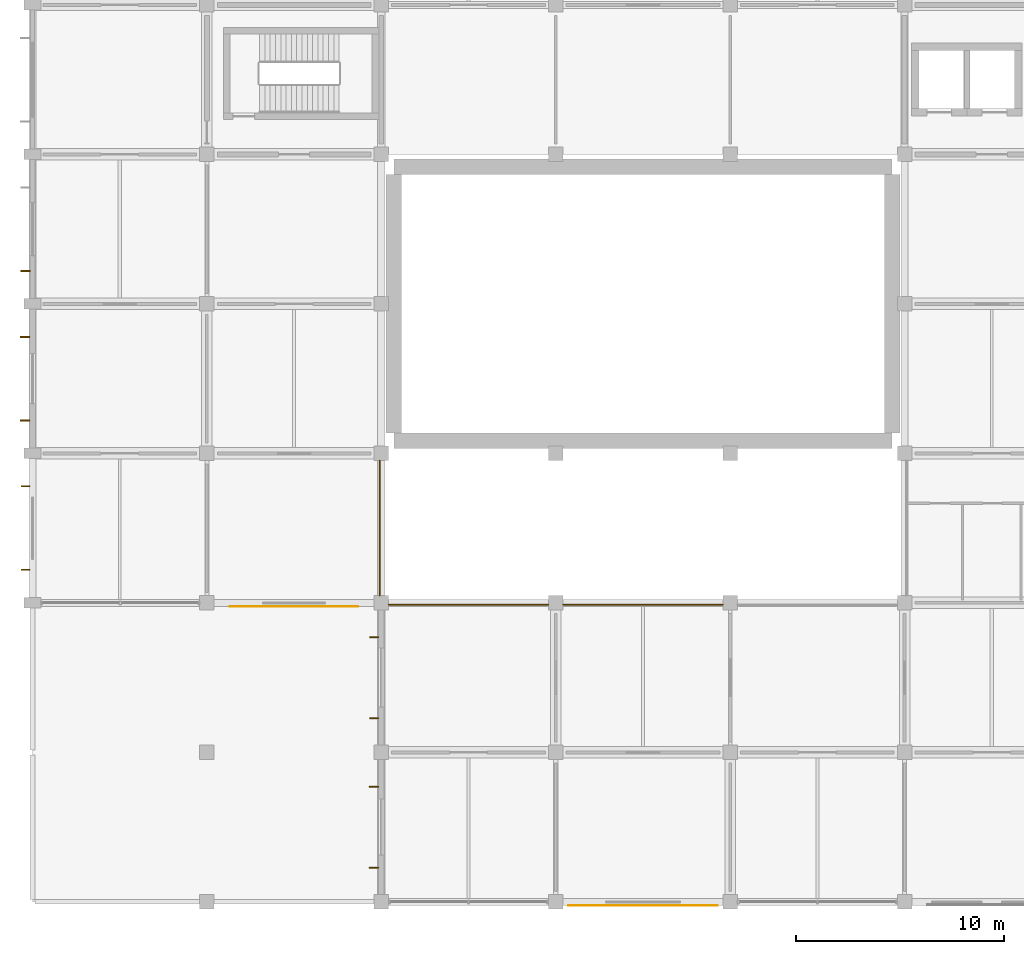
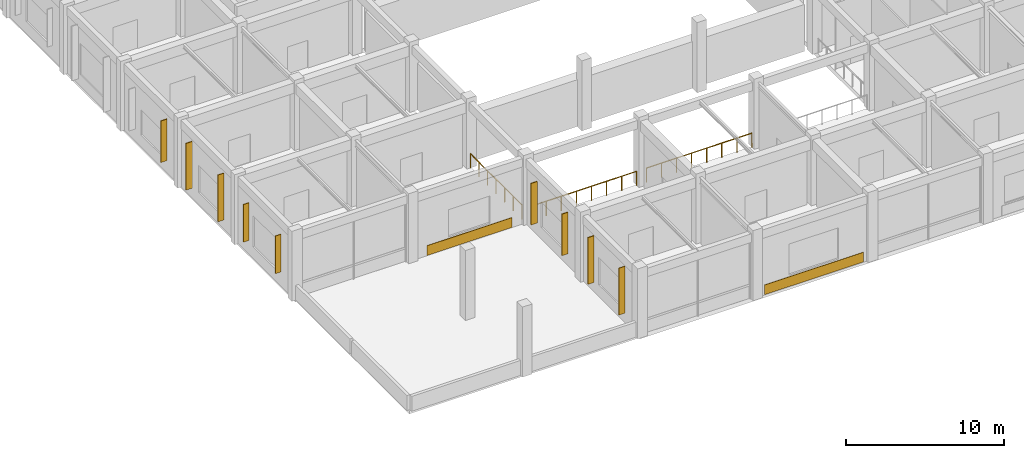
# One storey, part 32 of 41: 9 shading devices, 3 railings, 2 coverings.
"""IFC4 building model written with IfcOpenShell, lengths in metres."""

from ifc_helpers import new_model, si_unit, derived_unit, direction, frame, origin, origin_2d, place, context, subcontext, project, spatial, rectangle, circle, extrude, material, layer, layer_set, type_object, element, save


model = new_model("IFC4")

# Units and contexts
model_context = context("Model", 3, precision=1e-05, world=origin(), true_north=direction((0.0, 1.0)))
body_context = subcontext(model_context, "Body", "Model", "MODEL_VIEW")
ifc_project = project(units=[si_unit("LENGTHUNIT", "METRE"), si_unit("AREAUNIT", "SQUARE_METRE"), si_unit("VOLUMEUNIT", "CUBIC_METRE"), si_unit("PLANEANGLEUNIT", "RADIAN"), si_unit("MASSUNIT", "GRAM", prefix="KILO"), derived_unit("THERMALTRANSMITTANCEUNIT", [(si_unit("MASSUNIT", "GRAM", prefix="KILO"), 1), (si_unit("TIMEUNIT", "SECOND"), -3), (si_unit("THERMODYNAMICTEMPERATUREUNIT", "KELVIN"), -1)])], contexts=[model_context])

# Site, building, storey
site_placement = place(None, origin())
site = spatial("IfcSite", under=ifc_project, at=site_placement, CompositionType="ELEMENT")
building_placement = place(site_placement, origin())
building = spatial("IfcBuilding", under=site, at=building_placement, Name="Veldstrom Oceanarium and Marine Research Institute", CompositionType="ELEMENT")
storey_placement = place(building_placement, frame((0.0, 0.0, 6.0)))
storey = spatial("IfcBuildingStorey", under=building, at=storey_placement, Name="L01", CompositionType="ELEMENT", Elevation=6.0)

# Coverings
ifc_material_1 = material(Name="Anodised Aluminium Spandrel Rainscreen Cladding", Category="aluminium")
ifc_layer_1 = layer(ifc_material_1, 0.75)
ifc_layer_set_1 = layer_set([ifc_layer_1], Name="ARC-COV-CD1")
covering_type_1 = type_object("IfcCoveringType", Name="ARC-COV-CD1", PredefinedType="CLADDING", material=ifc_layer_set_1)
covering_1_placement = place(storey_placement, frame((29.39990234375, -0.16845703125, 0.044921875), z_axis=(0.0, 0.0, 1.0), x_axis=(1.0, 0.0, 0.0)))
element("IfcCovering", 1, at=covering_1_placement, inside=storey, type_object=covering_type_1, Name="Spandrel Rainscreen Cladding L01-034", PredefinedType="CLADDING", context=body_context, shape_type="SweptSolid", body=[
    extrude(rectangle(XDim=7.199951171875, YDim=0.034912109375, at=origin_2d()), origin(), (0.0, 0.0, 1.0), 0.75),
])
ifc_material_2 = material(Name="Terracotta Spandrel Rainscreen Cladding", Category="masonry")
ifc_layer_2 = layer(ifc_material_2, 0.75)
ifc_layer_set_2 = layer_set([ifc_layer_2], Name="ARC-COV-CD2")
covering_type_2 = type_object("IfcCoveringType", Name="ARC-COV-CD2", PredefinedType="CLADDING", material=ifc_layer_set_2)
covering_2_placement = place(storey_placement, frame((12.60009765625, 14.22900390625, 0.044921875), z_axis=(0.0, 0.0, 1.0), x_axis=(1.0, 0.0, 0.0)))
element("IfcCovering", 2, at=covering_2_placement, inside=storey, type_object=covering_type_2, Name="Spandrel Rainscreen Cladding L01-031", PredefinedType="CLADDING", context=body_context, shape_type="SweptSolid", body=[
    extrude(rectangle(XDim=6.199951171875, YDim=0.0400390625, at=origin_2d()), origin(), (0.0, 0.0, 1.0), 0.75),
])

# Railings
ifc_material_3 = material(Name="Duplex Stainless Steel Balustrade", Category="steel")
ifc_layer_3 = layer(ifc_material_3, 0.06005859375)
ifc_layer_set_3 = layer_set([ifc_layer_3], Name="ARC-RLG-GR1")
railing_type = type_object("IfcRailingType", Name="ARC-RLG-GR1", PredefinedType="GUARDRAIL", material=ifc_layer_set_3)
railing_1_placement = place(storey_placement, frame((16.719970703125, 14.75, 0.0)))
element("IfcRailing", 3, at=railing_1_placement, inside=storey, type_object=railing_type, Name="Atrium Overlook Guardrail GR-ATR-L01-01", PredefinedType="GUARDRAIL", context=body_context, shape_type="SweptSolid", body=[
    extrude(circle(Radius=0.02392578125, at=origin_2d()), frame((0.0, 0.0, 1.09619140625), z_axis=(0.0, 1.0, 0.0), x_axis=(-1.0, 0.0, 0.0)), (0.0, 0.0, 1.0), 6.5),
    extrude(circle(Radius=0.02099609375, at=origin_2d()), origin(), (0.0, 0.0, 1.0), 1.072021484375),
    extrude(circle(Radius=0.02099609375, at=origin_2d()), frame((0.0, 1.083251953125, 0.0)), (0.0, 0.0, 1.0), 1.072021484375),
    extrude(circle(Radius=0.02099609375, at=origin_2d()), frame((0.0, 2.166748046875, 0.0)), (0.0, 0.0, 1.0), 1.072021484375),
    extrude(circle(Radius=0.02099609375, at=origin_2d()), frame((0.0, 3.25, 0.0)), (0.0, 0.0, 1.0), 1.072021484375),
    extrude(circle(Radius=0.02099609375, at=origin_2d()), frame((0.0, 4.333251953125, 0.0)), (0.0, 0.0, 1.0), 1.072021484375),
    extrude(circle(Radius=0.02099609375, at=origin_2d()), frame((0.0, 5.416748046875, 0.0)), (0.0, 0.0, 1.0), 1.072021484375),
    extrude(circle(Radius=0.02099609375, at=origin_2d()), frame((0.0, 6.5, 0.0)), (0.0, 0.0, 1.0), 1.072021484375),
])
railing_2_placement = place(storey_placement, frame((17.14990234375, 14.320068359375, 0.0)))
element("IfcRailing", 4, at=railing_2_placement, inside=storey, type_object=railing_type, Name="Atrium Overlook Guardrail GR-ATR-L01-02", PredefinedType="GUARDRAIL", context=body_context, shape_type="SweptSolid", body=[
    extrude(circle(Radius=0.02392578125, at=origin_2d()), frame((0.0, 0.0, 1.09619140625), z_axis=(1.0, 0.0, 0.0), x_axis=(0.0, 1.0, 0.0)), (0.0, 0.0, 1.0), 7.7001953125),
    extrude(circle(Radius=0.02099609375, at=origin_2d()), origin(), (0.0, 0.0, 1.0), 1.072021484375),
    extrude(circle(Radius=0.02099609375, at=origin_2d()), frame((1.10009765625, 0.0, 0.0)), (0.0, 0.0, 1.0), 1.072021484375),
    extrude(circle(Radius=0.02099609375, at=origin_2d()), frame((2.199951171875, 0.0, 0.0)), (0.0, 0.0, 1.0), 1.072021484375),
    extrude(circle(Radius=0.02099609375, at=origin_2d()), frame((3.300048828125, 0.0, 0.0)), (0.0, 0.0, 1.0), 1.072021484375),
    extrude(circle(Radius=0.02099609375, at=origin_2d()), frame((4.400146484375, 0.0, 0.0)), (0.0, 0.0, 1.0), 1.072021484375),
    extrude(circle(Radius=0.02099609375, at=origin_2d()), frame((5.500244140625, 0.0, 0.0)), (0.0, 0.0, 1.0), 1.072021484375),
    extrude(circle(Radius=0.02099609375, at=origin_2d()), frame((6.60009765625, 0.0, 0.0)), (0.0, 0.0, 1.0), 1.072021484375),
    extrude(circle(Radius=0.02099609375, at=origin_2d()), frame((7.7001953125, 0.0, 0.0)), (0.0, 0.0, 1.0), 1.072021484375),
])
railing_3_placement = place(storey_placement, frame((25.550048828125, 14.320068359375, 0.0)))
element("IfcRailing", 5, at=railing_3_placement, inside=storey, type_object=railing_type, Name="Atrium Overlook Guardrail GR-ATR-L01-03", PredefinedType="GUARDRAIL", context=body_context, shape_type="SweptSolid", body=[
    extrude(circle(Radius=0.02392578125, at=origin_2d()), frame((0.0, 0.0, 1.09619140625), z_axis=(1.0, 0.0, 0.0), x_axis=(0.0, 1.0, 0.0)), (0.0, 0.0, 1.0), 7.699951171875),
    extrude(circle(Radius=0.02099609375, at=origin_2d()), origin(), (0.0, 0.0, 1.0), 1.072021484375),
    extrude(circle(Radius=0.02099609375, at=origin_2d()), frame((1.10009765625, 0.0, 0.0)), (0.0, 0.0, 1.0), 1.072021484375),
    extrude(circle(Radius=0.02099609375, at=origin_2d()), frame((2.199951171875, 0.0, 0.0)), (0.0, 0.0, 1.0), 1.072021484375),
    extrude(circle(Radius=0.02099609375, at=origin_2d()), frame((3.300048828125, 0.0, 0.0)), (0.0, 0.0, 1.0), 1.072021484375),
    extrude(circle(Radius=0.02099609375, at=origin_2d()), frame((4.39990234375, 0.0, 0.0)), (0.0, 0.0, 1.0), 1.072021484375),
    extrude(circle(Radius=0.02099609375, at=origin_2d()), frame((5.5, 0.0, 0.0)), (0.0, 0.0, 1.0), 1.072021484375),
    extrude(circle(Radius=0.02099609375, at=origin_2d()), frame((6.599853515625, 0.0, 0.0)), (0.0, 0.0, 1.0), 1.072021484375),
    extrude(circle(Radius=0.02099609375, at=origin_2d()), frame((7.699951171875, 0.0, 0.0)), (0.0, 0.0, 1.0), 1.072021484375),
])

# Shading devices
ifc_material_4 = material(Name="Precast Terracotta Brise-Soleil Louvre", Category="masonry")
ifc_layer_4 = layer(ifc_material_4, 3.60009765625)
ifc_layer_set_4 = layer_set([ifc_layer_4], Name="ARC-SHD-BS01")
shading_device_type_1 = type_object("IfcShadingDeviceType", Name="ARC-SHD-BS01", PredefinedType="JALOUSIE", material=ifc_layer_set_4)
for number, where, z_axis, x_axis, name in (
    (6, (-0.35498046875, 23.18994140625, 0.737548828125), (0.0, 0.0, 1.0), (1.0, 0.0, 0.0), "Terracotta Brise-Soleil Louvre L01-024"),
    (7, (-0.35498046875, 27.2099609375, 0.737548828125), (0.0, 0.0, 1.0), (1.0, 0.0, 0.0), "Terracotta Brise-Soleil Louvre L01-024"),
    (8, (16.445068359375, 1.64990234375, 0.737548828125), (0.0, 0.0, 1.0), (1.0, 0.0, 0.0), "Terracotta Brise-Soleil Louvre L01-032"),
    (9, (16.445068359375, 5.550048828125, 0.737548828125), (0.0, 0.0, 1.0), (1.0, 0.0, 0.0), "Terracotta Brise-Soleil Louvre L01-032"),
):
    element("IfcShadingDevice", number, at=place(storey_placement, frame(where, z_axis=z_axis, x_axis=x_axis)), inside=storey, type_object=shading_device_type_1, Name=name, PredefinedType="JALOUSIE", context=body_context, shape_type="SweptSolid", body=[
        extrude(rectangle(XDim=0.449951171875, YDim=0.06005859375, at=origin_2d()), origin(), (0.0, 0.0, 1.0), 3.60009765625),
    ])
ifc_material_5 = material(Name="Precast Terracotta Brise-Soleil Louvre", Category="masonry")
ifc_layer_5 = layer(ifc_material_5, 3.199951171875)
ifc_layer_set_5 = layer_set([ifc_layer_5], Name="ARC-SHD-BS02")
shading_device_type_2 = type_object("IfcShadingDeviceType", Name="ARC-SHD-BS02", PredefinedType="JALOUSIE", material=ifc_layer_set_5)
for number, where, z_axis, x_axis, name in (
    (10, (-0.344970703125, 30.389892578125, 0.9375), (0.0, 0.0, 1.0), (1.0, 0.0, 0.0), "Terracotta Brise-Soleil Louvre L01-025"),
    (11, (16.455078125, 8.85009765625, 0.9375), (0.0, 0.0, 1.0), (1.0, 0.0, 0.0), "Terracotta Brise-Soleil Louvre L01-033"),
    (12, (16.455078125, 12.75, 0.9375), (0.0, 0.0, 1.0), (1.0, 0.0, 0.0), "Terracotta Brise-Soleil Louvre L01-033"),
):
    element("IfcShadingDevice", number, at=place(storey_placement, frame(where, z_axis=z_axis, x_axis=x_axis)), inside=storey, type_object=shading_device_type_2, Name=name, PredefinedType="JALOUSIE", context=body_context, shape_type="SweptSolid", body=[
        extrude(rectangle(XDim=0.449951171875, YDim=0.06005859375, at=origin_2d()), origin(), (0.0, 0.0, 1.0), 3.199951171875),
    ])
ifc_material_6 = material(Name="Precast Terracotta Brise-Soleil Louvre", Category="masonry")
ifc_layer_6 = layer(ifc_material_6, 2.89990234375)
ifc_layer_set_6 = layer_set([ifc_layer_6], Name="ARC-SHD-BS04")
shading_device_type_3 = type_object("IfcShadingDeviceType", Name="ARC-SHD-BS04", PredefinedType="JALOUSIE", material=ifc_layer_set_6)
for number, where, z_axis, x_axis, name in (
    (13, (-0.340087890625, 15.989990234375, 1.087646484375), (0.0, 0.0, 1.0), (1.0, 0.0, 0.0), "Terracotta Brise-Soleil Louvre L01-023"),
    (14, (-0.340087890625, 20.010009765625, 1.087646484375), (0.0, 0.0, 1.0), (1.0, 0.0, 0.0), "Terracotta Brise-Soleil Louvre L01-023"),
):
    element("IfcShadingDevice", number, at=place(storey_placement, frame(where, z_axis=z_axis, x_axis=x_axis)), inside=storey, type_object=shading_device_type_3, Name=name, PredefinedType="JALOUSIE", context=body_context, shape_type="SweptSolid", body=[
        extrude(rectangle(XDim=0.39990234375, YDim=0.054931640625, at=origin_2d()), origin(), (0.0, 0.0, 1.0), 2.89990234375),
    ])

save(model, "model.ifc")
